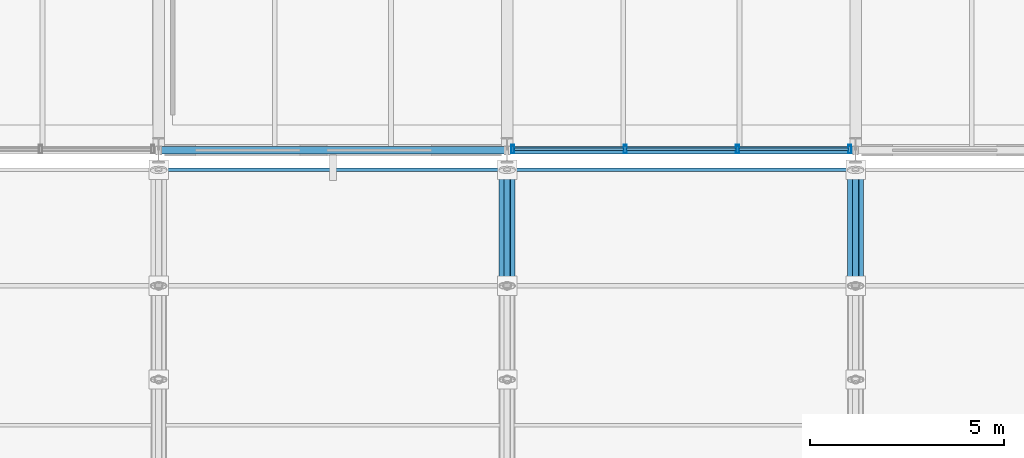
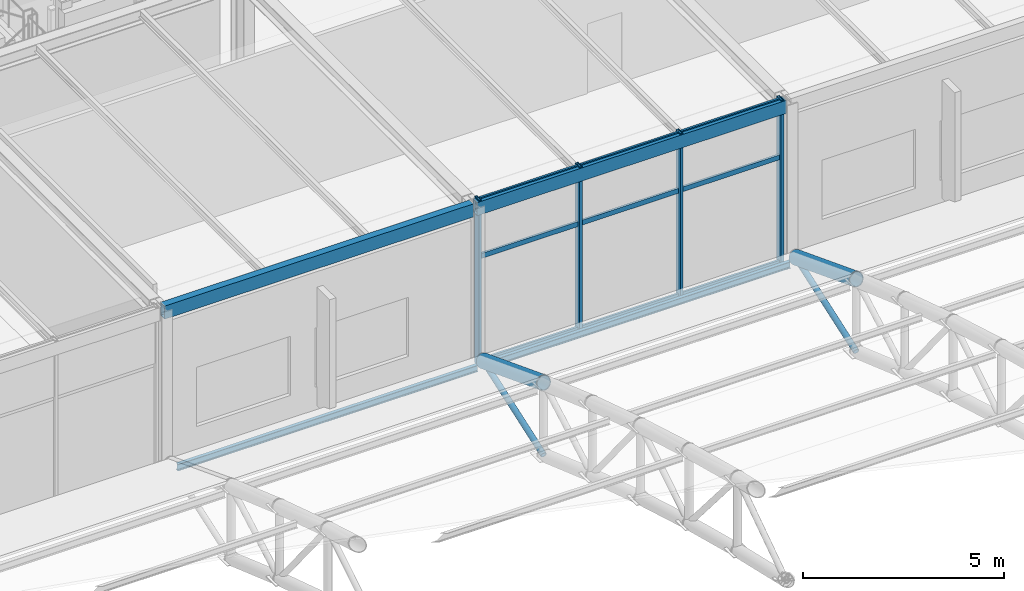
# One storey, part 44 of 195: 19 members, 2 beams, 1 element without a shape of its own.
"""IFC4 building model written with IfcOpenShell, lengths in metres."""

from ifc_helpers import new_model, si_unit, direction, frame, origin, origin_2d, place, context, subcontext, project, spatial, hollow_rectangle, hollow_circle, i_section, extrude, material, layer, layer_set, material_profile, profile_set, type_object, element, aggregate, save


model = new_model("IFC4")

# Units and contexts
model_context = context("Model", 3, precision=1e-05, world=origin(), true_north=direction((0.0, 1.0)))
body_context = subcontext(model_context, "Body", "Model", "MODEL_VIEW")
ifc_project = project(units=[si_unit("LENGTHUNIT", "METRE"), si_unit("AREAUNIT", "SQUARE_METRE"), si_unit("VOLUMEUNIT", "CUBIC_METRE"), si_unit("PLANEANGLEUNIT", "RADIAN"), si_unit("MASSUNIT", "GRAM", prefix="KILO")], contexts=[model_context])

# Site, building, storey
site_placement = place(None, origin())
site = spatial("IfcSite", under=ifc_project, at=site_placement, CompositionType="ELEMENT")
building_placement = place(site_placement, origin())
building = spatial("IfcBuilding", under=site, at=building_placement, Name="Marlcrest Central Station", CompositionType="ELEMENT")
storey_placement = place(building_placement, frame((0.0, 0.0, 9.800048828125)))
storey = spatial("IfcBuildingStorey", under=building, at=storey_placement, Name="L02", CompositionType="ELEMENT", Elevation=9.800048828125)

# Members
ifc_material_1 = material(Name="Steel S355", Category="steel")
ifc_material_profile_1 = material_profile(ifc_material_1, hollow_circle(Radius=0.203125, WallThickness=0.02001953125, at=origin_2d()), Name="CHS 406.4x20")
ifc_profile_set_1 = profile_set([ifc_material_profile_1], Name="Steel S355")
member_type_1 = type_object("IfcMemberType", Name="AC-01", PredefinedType="CHORD", material=ifc_profile_set_1)
for number, where, z_axis, x_axis, name in (
    (1, (54.0, 95.5, 1.599853515625), (0.0, 0.933324071143, -0.359035065453), (-1.0, 0.0, 0.0), "mem-AC-01-L02-00855"),
    (2, (63.0, 95.5, 1.599853515625), (0.0, 0.933324071143, -0.359035065453), (-1.0, 0.0, 0.0), "mem-AC-01-L02-00971"),
):
    element("IfcMember", number, at=place(storey_placement, frame(where, z_axis=z_axis, x_axis=x_axis)), inside=storey, type_object=member_type_1, Name=name, PredefinedType="CHORD", context=body_context, shape_type="SweptSolid", body=[
        extrude(hollow_circle(Radius=0.203125, WallThickness=0.02001953125, at=origin_2d()), origin(), (0.0, 0.0, 1.0), 3.21435546875),
    ])
ifc_material_profile_2 = material_profile(ifc_material_1, hollow_circle(Radius=0.084228515625, WallThickness=0.010009765625, at=origin_2d()), Name="CHS 168.3x10")
ifc_profile_set_2 = profile_set([ifc_material_profile_2], Name="Steel S355")
member_type_2 = type_object("IfcMemberType", Name="AD-01", PredefinedType="BRACE", material=ifc_profile_set_2)
for number, where, z_axis, x_axis, name in (
    (3, (54.0, 95.5, -0.60009765625), (0.0, 0.944260188635, 0.329200085296), (-1.0, 0.0, 0.0), "mem-AD-01-L02-00857"),
    (4, (63.0, 95.5, -0.60009765625), (0.0, 0.944260188635, 0.329200085296), (-1.0, 0.0, 0.0), "mem-AD-01-L02-00973"),
):
    element("IfcMember", number, at=place(storey_placement, frame(where, z_axis=z_axis, x_axis=x_axis)), inside=storey, type_object=member_type_2, Name=name, PredefinedType="BRACE", context=body_context, shape_type="SweptSolid", body=[
        extrude(hollow_circle(Radius=0.084228515625, WallThickness=0.010009765625, at=origin_2d()), origin(), (0.0, 0.0, 1.0), 3.177001953125),
    ])

# Curtain wall, members
ifc_material_2 = material(Name="Anodised aluminium and hurricane laminated glass", Category="aluminium")
ifc_layer = layer(ifc_material_2, 0.219970703125, Name="CW-U1")
ifc_layer_set = layer_set([ifc_layer], Name="Anodised aluminium and hurricane laminated glass")
curtain_wall_type = type_object("IfcCurtainWallType", Name="CW-U1", PredefinedType="USERDEFINED", material=ifc_layer_set)
curtain_wall_placement = place(storey_placement, origin())
curtain_wall = element("IfcCurtainWall", 5, at=curtain_wall_placement, inside=storey, type_object=curtain_wall_type, Name="cw-L02-0162", ObjectType="UNITISED_CURTAIN_WALL", PredefinedType="USERDEFINED")
ifc_material_3 = material(Name="Anodised aluminium 6063-T6", Category="aluminium")
ifc_material_profile_3 = material_profile(ifc_material_3, hollow_rectangle(XDim=0.080078125, YDim=0.219970703125, WallThickness=0.006103515625, at=origin_2d()), Name="AA-RHS 220x80x6")
ifc_profile_set_3 = profile_set([ifc_material_profile_3], Name="Anodised aluminium 6063-T6")
member_type_3 = type_object("IfcMemberType", Name="ML-01", PredefinedType="MULLION", material=ifc_profile_set_3)
member_1_placement = place(storey_placement, frame((62.85009765625, 99.030029296875, -0.030029296875), z_axis=(0.0, 0.0, 1.0), x_axis=(1.0, 0.0, 0.0)))
member_1 = element("IfcMember", 6, at=member_1_placement, type_object=member_type_3, Name="cw-L02-0162-ml-0", PredefinedType="MULLION", context=body_context, shape_type="SweptSolid", body=[
    extrude(hollow_rectangle(XDim=0.080078125, YDim=0.219970703125, WallThickness=0.006103515625, at=origin_2d()), origin(), (0.0, 0.0, 1.0), 5.06005859375),
])
member_2_placement = place(storey_placement, frame((59.949951171875, 99.030029296875, -0.030029296875), z_axis=(0.0, 0.0, 1.0), x_axis=(1.0, 0.0, 0.0)))
member_2 = element("IfcMember", 7, at=member_2_placement, type_object=member_type_3, Name="cw-L02-0162-ml-1", PredefinedType="MULLION", context=body_context, shape_type="SweptSolid", body=[
    extrude(hollow_rectangle(XDim=0.080078125, YDim=0.219970703125, WallThickness=0.006103515625, at=origin_2d()), origin(), (0.0, 0.0, 1.0), 5.06005859375),
])
member_3_placement = place(storey_placement, frame((57.050048828125, 99.030029296875, -0.030029296875), z_axis=(0.0, 0.0, 1.0), x_axis=(1.0, 0.0, 0.0)))
member_3 = element("IfcMember", 8, at=member_3_placement, type_object=member_type_3, Name="cw-L02-0162-ml-2", PredefinedType="MULLION", context=body_context, shape_type="SweptSolid", body=[
    extrude(hollow_rectangle(XDim=0.080078125, YDim=0.219970703125, WallThickness=0.006103515625, at=origin_2d()), origin(), (0.0, 0.0, 1.0), 5.06005859375),
])
member_4_placement = place(storey_placement, frame((54.14990234375, 99.030029296875, -0.030029296875), z_axis=(0.0, 0.0, 1.0), x_axis=(1.0, 0.0, 0.0)))
member_4 = element("IfcMember", 9, at=member_4_placement, type_object=member_type_3, Name="cw-L02-0162-ml-3", PredefinedType="MULLION", context=body_context, shape_type="SweptSolid", body=[
    extrude(hollow_rectangle(XDim=0.080078125, YDim=0.219970703125, WallThickness=0.006103515625, at=origin_2d()), origin(), (0.0, 0.0, 1.0), 5.06005859375),
])

# Members
ifc_material_profile_4 = material_profile(ifc_material_1, i_section(OverallWidth=0.10009765625, OverallDepth=0.199951171875, WebThickness=0.005615234375, FlangeThickness=0.008544921875, FilletRadius=0.011962890625, at=origin_2d()), Name="IPE 200")
ifc_profile_set_4 = profile_set([ifc_material_profile_4], Name="Steel S355")
member_type_4 = type_object("IfcMemberType", Name="PR-01", PredefinedType="PURLIN", material=ifc_profile_set_4)
for number, where, z_axis, x_axis, name in (
    (10, (45.179931640625, 98.5, 0.3056640625), (1.0, 0.0, 0.0), (0.0, 1.0, 0.0), "mem-PR-01-L02-00756"),
    (11, (54.179931640625, 98.5, 0.3056640625), (1.0, 0.0, 0.0), (0.0, 1.0, 0.0), "mem-PR-01-L02-00872"),
):
    element("IfcMember", number, at=place(storey_placement, frame(where, z_axis=z_axis, x_axis=x_axis)), inside=storey, type_object=member_type_4, Name=name, PredefinedType="PURLIN", context=body_context, shape_type="SweptSolid", body=[
        extrude(i_section(OverallWidth=0.10009765625, OverallDepth=0.199951171875, WebThickness=0.005615234375, FlangeThickness=0.008544921875, FilletRadius=0.011962890625, at=origin_2d()), origin(), (0.0, 0.0, 1.0), 8.64013671875),
    ])

# Beams
ifc_material_profile_5 = material_profile(ifc_material_1, hollow_rectangle(XDim=0.199951171875, YDim=0.39990234375, WallThickness=0.01611328125, at=origin_2d()), Name="RHS 400x200x16")
ifc_profile_set_5 = profile_set([ifc_material_profile_5], Name="Steel S355")
beam_type = type_object("IfcBeamType", Name="SP-01", PredefinedType="SPANDREL", material=ifc_profile_set_5)
for number, where, z_axis, x_axis, name in (
    (12, (45.050048828125, 99.0, 4.800048828125), (1.0, 0.0, 0.0), (0.0, 1.0, 0.0), "bm-SP-01-L02-00353"),
    (13, (54.050048828125, 99.0, 4.800048828125), (1.0, 0.0, 0.0), (0.0, 1.0, 0.0), "bm-SP-01-L02-00354"),
):
    element("IfcBeam", number, at=place(storey_placement, frame(where, z_axis=z_axis, x_axis=x_axis)), inside=storey, type_object=beam_type, Name=name, PredefinedType="SPANDREL", context=body_context, shape_type="SweptSolid", body=[
        extrude(hollow_rectangle(XDim=0.199951171875, YDim=0.39990234375, WallThickness=0.01611328125, at=origin_2d()), origin(), (0.0, 0.0, 1.0), 8.89990234375),
    ])

# Member
ifc_material_profile_6 = material_profile(ifc_material_3, hollow_rectangle(XDim=0.06005859375, YDim=0.14990234375, WallThickness=0.00390625, at=origin_2d()), Name="AA-RHS 150x60x4")
ifc_profile_set_6 = profile_set([ifc_material_profile_6], Name="Anodised aluminium 6063-T6")
member_type_5 = type_object("IfcMemberType", Name="TR-01", PredefinedType="USERDEFINED", material=ifc_profile_set_6)
member_5_placement = place(storey_placement, frame((62.81201171875, 99.030029296875, 0.0400390625), z_axis=(-1.0, 0.0, 0.0), x_axis=(0.0, -1.0, 0.0)))
member_5 = element("IfcMember", 14, at=member_5_placement, type_object=member_type_5, Name="cw-L02-0162-tr-0-sill", ObjectType="TRANSOM", PredefinedType="USERDEFINED", context=body_context, shape_type="SweptSolid", body=[
    extrude(hollow_rectangle(XDim=0.06005859375, YDim=0.14990234375, WallThickness=0.00390625, at=origin_2d()), origin(), (0.0, 0.0, 1.0), 2.823974609375),
])

member_6_placement = place(storey_placement, frame((62.81201171875, 99.030029296875, 3.25), z_axis=(-1.0, 0.0, 0.0), x_axis=(0.0, -1.0, 0.0)))
member_6 = element("IfcMember", 15, at=member_6_placement, type_object=member_type_5, Name="cw-L02-0162-tr-0-mid", ObjectType="TRANSOM", PredefinedType="USERDEFINED", context=body_context, shape_type="SweptSolid", body=[
    extrude(hollow_rectangle(XDim=0.06005859375, YDim=0.14990234375, WallThickness=0.00390625, at=origin_2d()), origin(), (0.0, 0.0, 1.0), 2.823974609375),
])

member_7_placement = place(storey_placement, frame((62.81201171875, 99.030029296875, 4.9599609375), z_axis=(-1.0, 0.0, 0.0), x_axis=(0.0, -1.0, 0.0)))
member_7 = element("IfcMember", 16, at=member_7_placement, type_object=member_type_5, Name="cw-L02-0162-tr-0-head", ObjectType="TRANSOM", PredefinedType="USERDEFINED", context=body_context, shape_type="SweptSolid", body=[
    extrude(hollow_rectangle(XDim=0.06005859375, YDim=0.14990234375, WallThickness=0.00390625, at=origin_2d()), origin(), (0.0, 0.0, 1.0), 2.823974609375),
])

member_8_placement = place(storey_placement, frame((59.912109375, 99.030029296875, 0.0400390625), z_axis=(-1.0, 0.0, 0.0), x_axis=(0.0, -1.0, 0.0)))
member_8 = element("IfcMember", 17, at=member_8_placement, type_object=member_type_5, Name="cw-L02-0162-tr-1-sill", ObjectType="TRANSOM", PredefinedType="USERDEFINED", context=body_context, shape_type="SweptSolid", body=[
    extrude(hollow_rectangle(XDim=0.06005859375, YDim=0.14990234375, WallThickness=0.00390625, at=origin_2d()), origin(), (0.0, 0.0, 1.0), 2.82421875),
])

member_9_placement = place(storey_placement, frame((59.912109375, 99.030029296875, 3.25), z_axis=(-1.0, 0.0, 0.0), x_axis=(0.0, -1.0, 0.0)))
member_9 = element("IfcMember", 18, at=member_9_placement, type_object=member_type_5, Name="cw-L02-0162-tr-1-mid", ObjectType="TRANSOM", PredefinedType="USERDEFINED", context=body_context, shape_type="SweptSolid", body=[
    extrude(hollow_rectangle(XDim=0.06005859375, YDim=0.14990234375, WallThickness=0.00390625, at=origin_2d()), origin(), (0.0, 0.0, 1.0), 2.82421875),
])

member_10_placement = place(storey_placement, frame((59.912109375, 99.030029296875, 4.9599609375), z_axis=(-1.0, 0.0, 0.0), x_axis=(0.0, -1.0, 0.0)))
member_10 = element("IfcMember", 19, at=member_10_placement, type_object=member_type_5, Name="cw-L02-0162-tr-1-head", ObjectType="TRANSOM", PredefinedType="USERDEFINED", context=body_context, shape_type="SweptSolid", body=[
    extrude(hollow_rectangle(XDim=0.06005859375, YDim=0.14990234375, WallThickness=0.00390625, at=origin_2d()), origin(), (0.0, 0.0, 1.0), 2.82421875),
])

member_11_placement = place(storey_placement, frame((57.011962890625, 99.030029296875, 0.0400390625), z_axis=(-1.0, 0.0, 0.0), x_axis=(0.0, -1.0, 0.0)))
member_11 = element("IfcMember", 20, at=member_11_placement, type_object=member_type_5, Name="cw-L02-0162-tr-2-sill", ObjectType="TRANSOM", PredefinedType="USERDEFINED", context=body_context, shape_type="SweptSolid", body=[
    extrude(hollow_rectangle(XDim=0.06005859375, YDim=0.14990234375, WallThickness=0.00390625, at=origin_2d()), origin(), (0.0, 0.0, 1.0), 2.823974609375),
])

member_12_placement = place(storey_placement, frame((57.011962890625, 99.030029296875, 3.25), z_axis=(-1.0, 0.0, 0.0), x_axis=(0.0, -1.0, 0.0)))
member_12 = element("IfcMember", 21, at=member_12_placement, type_object=member_type_5, Name="cw-L02-0162-tr-2-mid", ObjectType="TRANSOM", PredefinedType="USERDEFINED", context=body_context, shape_type="SweptSolid", body=[
    extrude(hollow_rectangle(XDim=0.06005859375, YDim=0.14990234375, WallThickness=0.00390625, at=origin_2d()), origin(), (0.0, 0.0, 1.0), 2.823974609375),
])

member_13_placement = place(storey_placement, frame((57.011962890625, 99.030029296875, 4.9599609375), z_axis=(-1.0, 0.0, 0.0), x_axis=(0.0, -1.0, 0.0)))
member_13 = element("IfcMember", 22, at=member_13_placement, type_object=member_type_5, Name="cw-L02-0162-tr-2-head", ObjectType="TRANSOM", PredefinedType="USERDEFINED", context=body_context, shape_type="SweptSolid", body=[
    extrude(hollow_rectangle(XDim=0.06005859375, YDim=0.14990234375, WallThickness=0.00390625, at=origin_2d()), origin(), (0.0, 0.0, 1.0), 2.823974609375),
])

aggregate(curtain_wall, [member_1, member_2, member_3, member_4, member_5, member_6, member_7, member_8, member_9, member_10, member_11, member_12, member_13])

save(model, "model.ifc")
